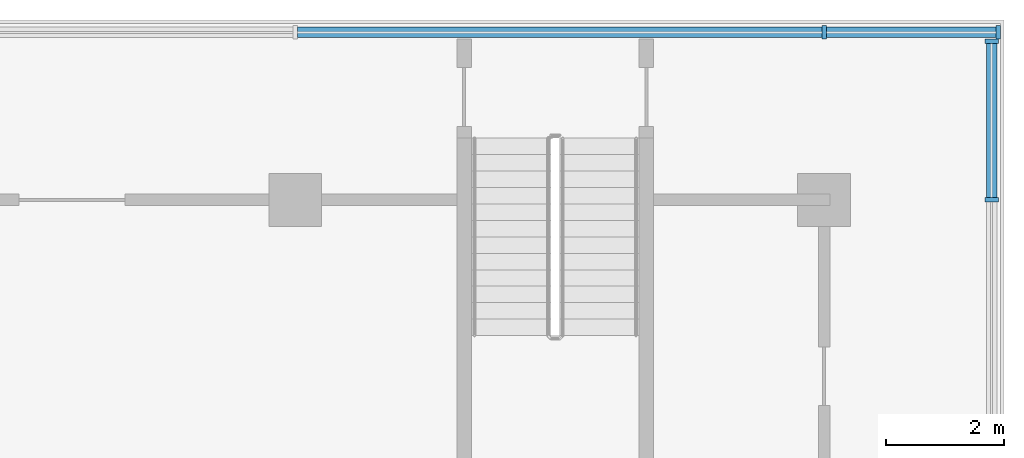
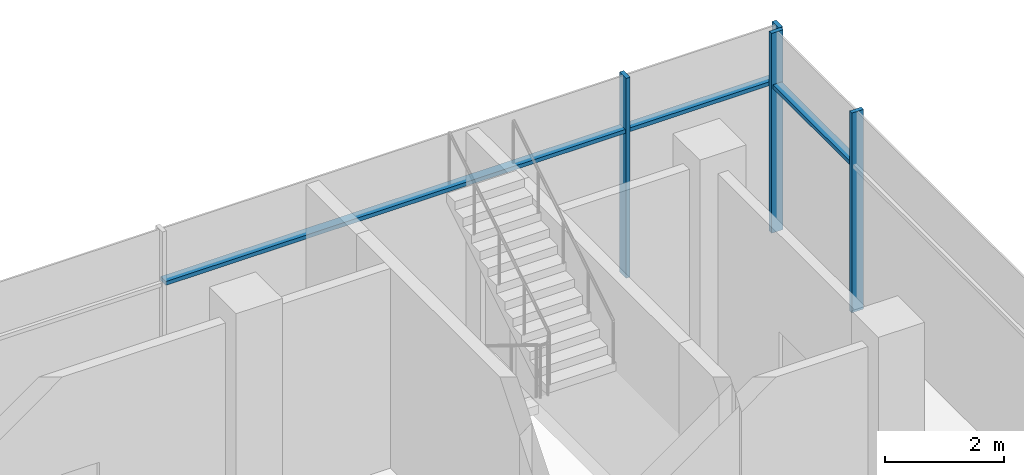
# One storey, part 9 of 22: 7 members, 2 elements without a shape of their own.
"""IFC4 building model written with IfcOpenShell, lengths in metres."""

from ifc_helpers import new_model, si_unit, direction, frame, origin, origin_2d, place, context, subcontext, project, spatial, rectangle, extrude, material, material_profile, profile_set, type_object, element, aggregate, save


model = new_model("IFC4")

# Units and contexts
model_context = context("Model", 3, precision=1e-05, world=origin(), true_north=direction((0.0, 1.0)))
body_context = subcontext(model_context, "Body", "Model", "MODEL_VIEW")
ifc_project = project(units=[si_unit("LENGTHUNIT", "METRE"), si_unit("AREAUNIT", "SQUARE_METRE"), si_unit("VOLUMEUNIT", "CUBIC_METRE"), si_unit("PLANEANGLEUNIT", "RADIAN"), si_unit("MASSUNIT", "GRAM", prefix="KILO")], contexts=[model_context])

# Site, building, storey
site_placement = place(None, origin())
site = spatial("IfcSite", under=ifc_project, at=site_placement, CompositionType="ELEMENT")
building_placement = place(site_placement, origin())
building = spatial("IfcBuilding", under=site, at=building_placement, Name="Finial Court Residences", CompositionType="ELEMENT")
storey_placement = place(building_placement, frame((0.0, 0.0, 28.0)))
storey = spatial("IfcBuildingStorey", under=building, at=storey_placement, Name="L05", CompositionType="ELEMENT", Elevation=28.0)

# Curtain wall, members
ifc_material = material(Name="Bronze anodised aluminium", Category="aluminium")
curtain_wall_type = type_object("IfcCurtainWallType", Name="Podium curtain wall", PredefinedType="NOTDEFINED", material=ifc_material)
curtain_wall_1_placement = place(storey_placement, origin())
curtain_wall_1 = element("IfcCurtainWall", 1, at=curtain_wall_1_placement, inside=storey, type_object=curtain_wall_type, Name="E-L05-CW-N1", PredefinedType="NOTDEFINED")
ifc_material_profile_1 = material_profile(ifc_material, rectangle(XDim=0.22509765625, YDim=0.080078125, at=origin_2d()), Name="CW5 mullion 80 x 225")
ifc_profile_set_1 = profile_set([ifc_material_profile_1], Name="Bronze anodised aluminium")
member_type_1 = type_object("IfcMemberType", Name="CW5 mullion 80 x 225", PredefinedType="MULLION", material=ifc_profile_set_1)
member_1_placement = place(storey_placement, frame((58.5, 34.35009765625, 0.0), z_axis=(0.0, 0.0, 1.0), x_axis=(0.0, 1.0, 0.0)))
member_1 = element("IfcMember", 2, at=member_1_placement, type_object=member_type_1, Name="CW5 mullion 14", PredefinedType="MULLION", context=body_context, shape_type="SweptSolid", body=[
    extrude(rectangle(XDim=0.22509765625, YDim=0.080078125, at=origin_2d()), origin(), (0.0, 0.0, 1.0), 4.10009765625),
])
member_2_placement = place(storey_placement, frame((61.4599609375, 34.35009765625, 0.0), z_axis=(0.0, 0.0, 1.0), x_axis=(0.0, 1.0, 0.0)))
member_2 = element("IfcMember", 3, at=member_2_placement, type_object=member_type_1, Name="CW5 mullion 15", PredefinedType="MULLION", context=body_context, shape_type="SweptSolid", body=[
    extrude(rectangle(XDim=0.22509765625, YDim=0.080078125, at=origin_2d()), origin(), (0.0, 0.0, 1.0), 4.10009765625),
])

curtain_wall_2_placement = place(storey_placement, origin())
curtain_wall_2 = element("IfcCurtainWall", 4, at=curtain_wall_2_placement, inside=storey, type_object=curtain_wall_type, Name="E-L05-CW-E2", PredefinedType="NOTDEFINED")
member_3_placement = place(storey_placement, frame((61.35009765625, 31.5, 0.0), z_axis=(0.0, 0.0, 1.0), x_axis=(-1.0, 0.0, 0.0)))
member_3 = element("IfcMember", 5, at=member_3_placement, type_object=member_type_1, Name="CW5 mullion 11", PredefinedType="MULLION", context=body_context, shape_type="SweptSolid", body=[
    extrude(rectangle(XDim=0.22509765625, YDim=0.080078125, at=origin_2d()), origin(), (0.0, 0.0, 1.0), 4.10009765625),
])
member_4_placement = place(storey_placement, frame((61.35009765625, 34.197509765625, 0.0), z_axis=(0.0, 0.0, 1.0), x_axis=(-1.0, 0.0, 0.0)))
member_4 = element("IfcMember", 6, at=member_4_placement, type_object=member_type_1, Name="CW5 mullion 12", PredefinedType="MULLION", context=body_context, shape_type="SweptSolid", body=[
    extrude(rectangle(XDim=0.22509765625, YDim=0.080078125, at=origin_2d()), origin(), (0.0, 0.0, 1.0), 4.10009765625),
])

# Member
ifc_material_profile_2 = material_profile(ifc_material, rectangle(XDim=0.175048828125, YDim=0.080078125, at=origin_2d()), Name="CW5 transom 80 x 175")
ifc_profile_set_2 = profile_set([ifc_material_profile_2], Name="Bronze anodised aluminium")
member_type_2 = type_object("IfcMemberType", Name="CW5 transom 80 x 175", PredefinedType="USERDEFINED", material=ifc_profile_set_2)
member_5_placement = place(storey_placement, frame((49.5400390625, 34.35009765625, 3.0), z_axis=(1.0, 0.0, 0.0), x_axis=(0.0, 1.0, 0.0)))
member_5 = element("IfcMember", 7, at=member_5_placement, type_object=member_type_2, Name="CW5 transom 13.1", ObjectType="TRANSOM", PredefinedType="USERDEFINED", context=body_context, shape_type="SweptSolid", body=[
    extrude(rectangle(XDim=0.175048828125, YDim=0.080078125, at=origin_2d()), origin(), (0.0, 0.0, 1.0), 8.919921875),
])

member_6_placement = place(storey_placement, frame((58.5400390625, 34.35009765625, 3.0), z_axis=(1.0, 0.0, 0.0), x_axis=(0.0, 1.0, 0.0)))
member_6 = element("IfcMember", 8, at=member_6_placement, type_object=member_type_2, Name="CW5 transom 14.1", ObjectType="TRANSOM", PredefinedType="USERDEFINED", context=body_context, shape_type="SweptSolid", body=[
    extrude(rectangle(XDim=0.175048828125, YDim=0.080078125, at=origin_2d()), origin(), (0.0, 0.0, 1.0), 2.8798828125),
])

aggregate(curtain_wall_1, [member_1, member_2, member_5, member_6])

member_7_placement = place(storey_placement, frame((61.35009765625, 31.5400390625, 3.0), z_axis=(0.0, 1.0, 0.0), x_axis=(-1.0, 0.0, 0.0)))
member_7 = element("IfcMember", 9, at=member_7_placement, type_object=member_type_2, Name="CW5 transom 11.1", ObjectType="TRANSOM", PredefinedType="USERDEFINED", context=body_context, shape_type="SweptSolid", body=[
    extrude(rectangle(XDim=0.175048828125, YDim=0.080078125, at=origin_2d()), origin(), (0.0, 0.0, 1.0), 2.617431640625),
])

aggregate(curtain_wall_2, [member_3, member_4, member_7])

save(model, "model.ifc")
